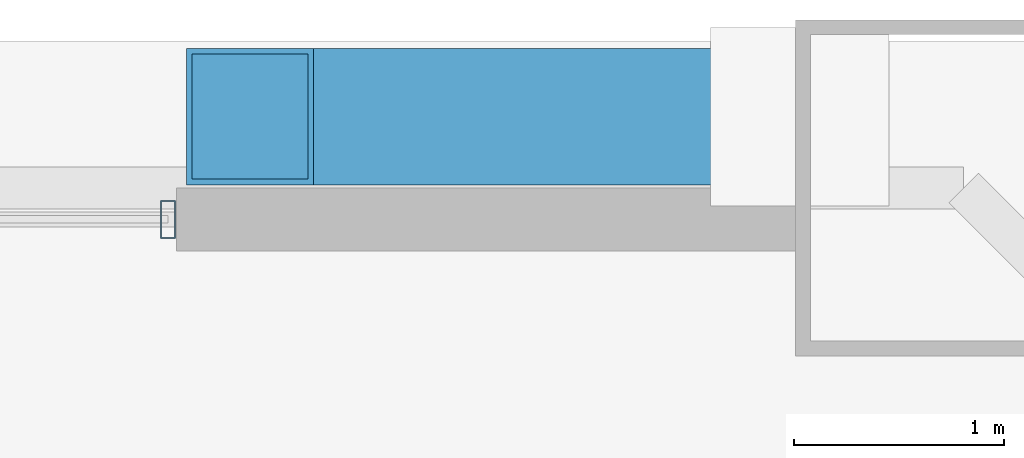
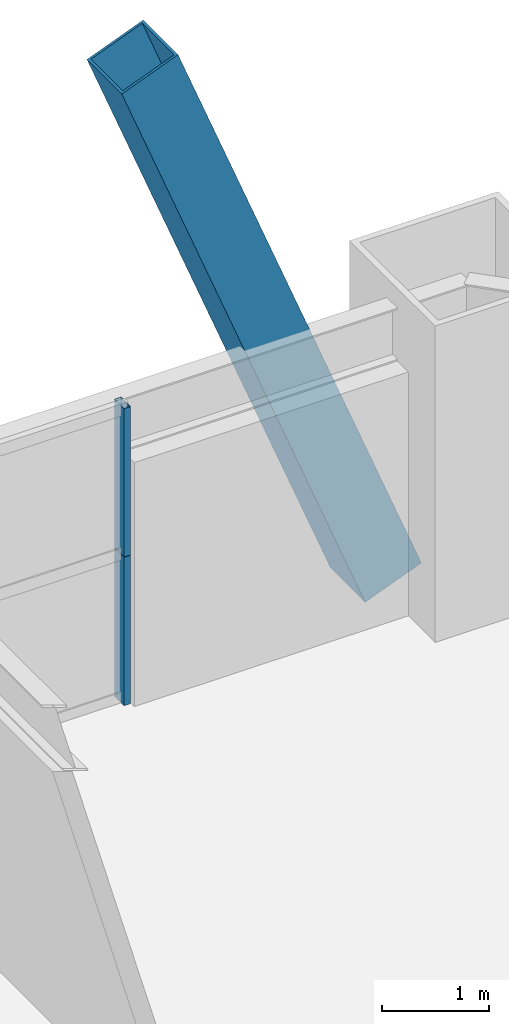
# One storey, part 36 of 43: 3 members, 1 element without a shape of its own.
"""IFC4 building model written with IfcOpenShell, lengths in metres."""

from ifc_helpers import new_model, si_unit, direction, frame, origin, origin_2d, place, context, subcontext, project, spatial, hollow_rectangle, extrude, source, transform, mapped, material, layer, layer_set, material_profile, profile_set, type_object, element, aggregate, save


model = new_model("IFC4")

# Units and contexts
model_context = context("Model", 3, precision=1e-05, world=origin(), true_north=direction((0.0, 1.0)))
body_context = subcontext(model_context, "Body", "Model", "MODEL_VIEW")
ifc_project = project(units=[si_unit("LENGTHUNIT", "METRE"), si_unit("AREAUNIT", "SQUARE_METRE"), si_unit("VOLUMEUNIT", "CUBIC_METRE"), si_unit("PLANEANGLEUNIT", "RADIAN"), si_unit("MASSUNIT", "GRAM", prefix="KILO"), si_unit("THERMODYNAMICTEMPERATUREUNIT", "KELVIN"), si_unit("POWERUNIT", "WATT")], contexts=[model_context])

# Site, building, storey
site_placement = place(None, origin())
site = spatial("IfcSite", under=ifc_project, at=site_placement, CompositionType="ELEMENT")
building_placement = place(site_placement, origin())
building = spatial("IfcBuilding", under=site, at=building_placement, Name="Yuzanri Waterfront Tower", CompositionType="ELEMENT")
storey_placement = place(building_placement, frame((0.0, 0.0, 159.60009765625)))
storey = spatial("IfcBuildingStorey", under=building, at=storey_placement, Name="L42", CompositionType="ELEMENT", Elevation=159.60009765625)

# Member
ifc_material_1 = material(Name="Steel Q420GJC", Category="steel")
ifc_material_profile_1 = material_profile(ifc_material_1, hollow_rectangle(XDim=0.64990234375, YDim=0.64990234375, WallThickness=0.028076171875, at=origin_2d()), Name="RHS 650x650x28")
ifc_profile_set_1 = profile_set([ifc_material_profile_1], Name="Steel Q420GJC")
member_type_1 = type_object("IfcMemberType", Name="Mega Brace Lower Q420GJC RHS 650x650x28", PredefinedType="BRACE", material=ifc_profile_set_1)
shared_shape_1 = source(origin(), body_context, "Body", "SweptSolid", [
    extrude(hollow_rectangle(XDim=0.64990234375, YDim=0.64990234375, WallThickness=0.028076171875, at=origin_2d()), origin(), (0.0, 0.0, 1.0), 7.19384765625),
])
member_1_placement = place(storey_placement, frame((56.219970703125, 49.739990234375, 0.179931640625), z_axis=(-0.36417668996, 0.0, 0.9313298763), x_axis=(0.0, -1.0, 0.0)))
element("IfcMember", 1, at=member_1_placement, inside=storey, type_object=member_type_1, Name="L42-L43 Perimeter Mega-Brace N-R", PredefinedType="BRACE", context=body_context, shape_type="MappedRepresentation", body=[
    mapped(shared_shape_1, transform((0.0, 0.0, 0.0), scale=1.0)),
])

# Curtain wall, members
ifc_material_2 = material(Name="Anodized Architectural Bronze", Category="metal")
ifc_layer = layer(ifc_material_2, 0.159912109375)
ifc_layer_set = layer_set([ifc_layer], Name="Anodized Architectural Bronze")
curtain_wall_type = type_object("IfcCurtainWallType", Name="Anodized Bronze Hotel Upper-Tier Solar-Control Unitized Curtain Wall 7800", PredefinedType="NOTDEFINED", material=ifc_layer_set)
curtain_wall_placement = place(storey_placement, origin())
curtain_wall = element("IfcCurtainWall", 2, at=curtain_wall_placement, inside=storey, type_object=curtain_wall_type, Name="L42 Curtain Wall CW-L42-NR", PredefinedType="NOTDEFINED")
ifc_material_3 = material(Name="Anodized Architectural Bronze", Category="metal")
ifc_material_profile_2 = material_profile(ifc_material_3, hollow_rectangle(XDim=0.070068359375, YDim=0.179931640625, WallThickness=0.00390625, at=origin_2d()), Name="CWM 70x180")
ifc_profile_set_2 = profile_set([ifc_material_profile_2], Name="Anodized Architectural Bronze")
member_type_2 = type_object("IfcMemberType", Name="Anodized Bronze Standard Curtain-Wall Mullion 70x180", PredefinedType="MULLION", material=ifc_profile_set_2)
shared_shape_2 = source(origin(), body_context, "Body", "SweptSolid", [
    extrude(hollow_rectangle(XDim=0.070068359375, YDim=0.179931640625, WallThickness=0.00390625, at=origin_2d()), origin(), (0.0, 0.0, 1.0), 1.68798828125),
])
member_2_placement = place(storey_placement, frame((53.2099609375, 49.25, 0.0), z_axis=(0.0, 0.0, 1.0), x_axis=(1.0, 0.0, 0.0)))
member_2 = element("IfcMember", 3, at=member_2_placement, type_object=member_type_2, Name="CW-L42-NR Lower Mullion 02", PredefinedType="MULLION", context=body_context, shape_type="MappedRepresentation", body=[
    mapped(shared_shape_2, transform((0.0, 0.0, 0.0), scale=1.0)),
])
member_3_placement = place(storey_placement, frame((53.2099609375, 49.25, 1.69189453125), z_axis=(0.0, 0.0, 1.0), x_axis=(1.0, 0.0, 0.0)))
member_3 = element("IfcMember", 4, at=member_3_placement, type_object=member_type_2, Name="CW-L42-NR Upper Mullion 02", PredefinedType="MULLION", context=body_context, shape_type="MappedRepresentation", body=[
    mapped(shared_shape_2, transform((0.0, 0.0, 0.0), scale=1.0)),
])
aggregate(curtain_wall, [member_2, member_3])

save(model, "model.ifc")
